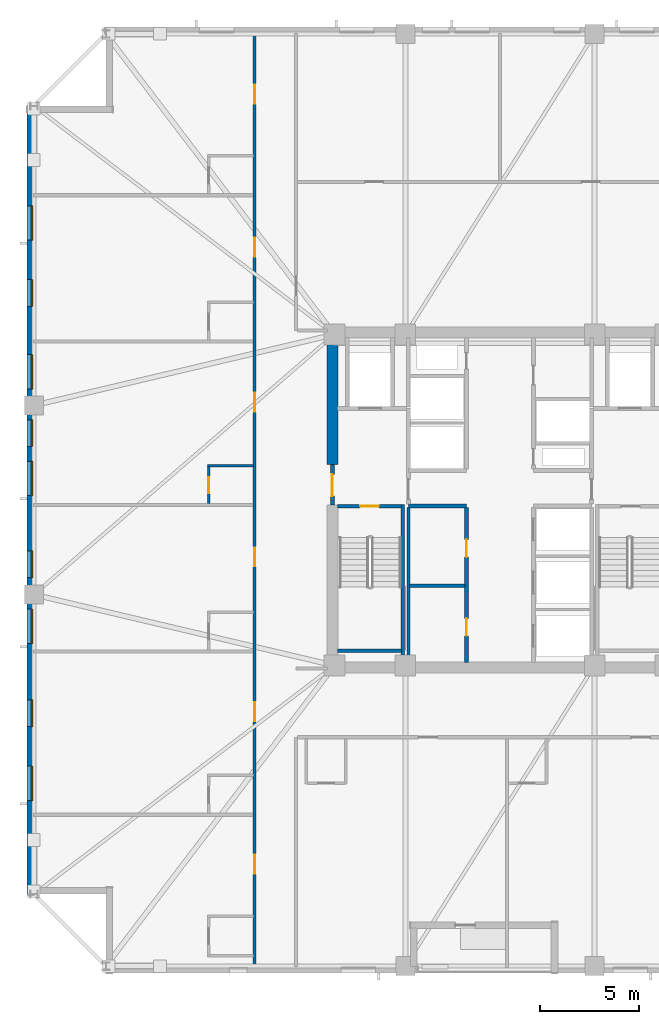
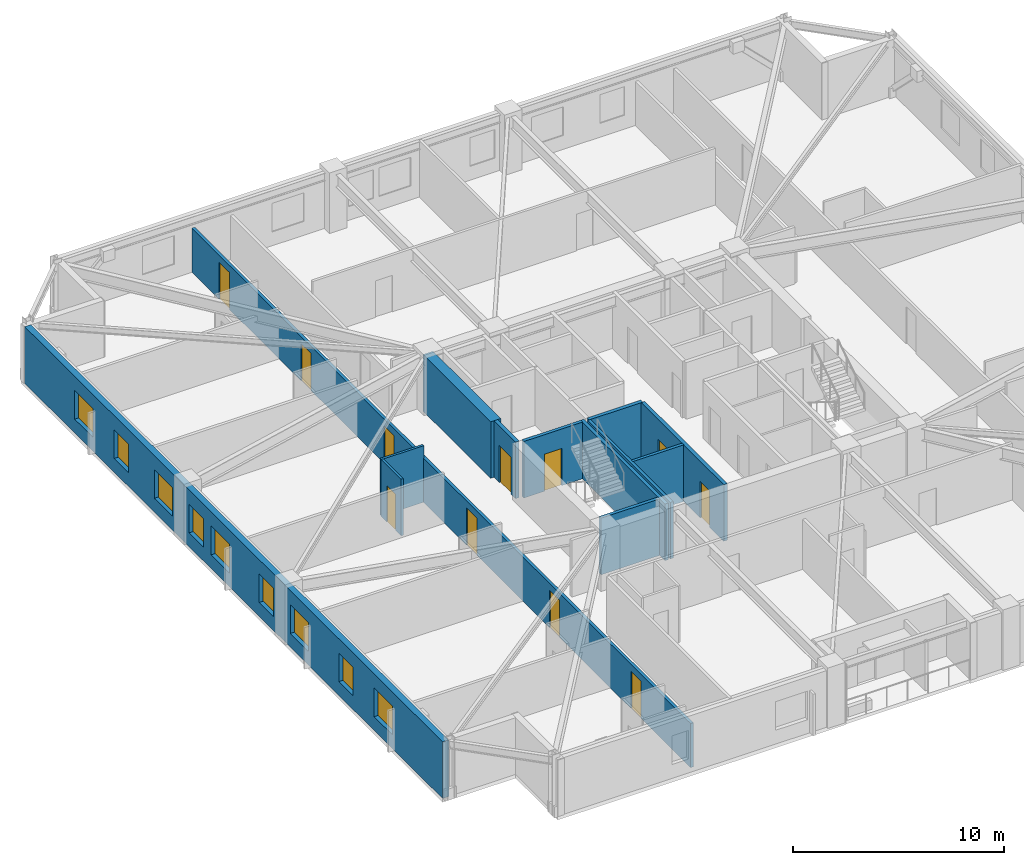
# One storey, part 3 of 11: 13 walls, 11 doors, 9 windows, 20 openings.
"""IFC4 building model written with IfcOpenShell, lengths in metres."""

from ifc_helpers import new_model, si_unit, direction, frame, frame_2d, origin, place, context, subcontext, project, spatial, rectangle, extrude, material, layer, layer_set, type_object, element, fill, save


model = new_model("IFC4")

# Units and contexts
model_context = context("Model", 3, precision=1e-05, world=origin(), true_north=direction((0.0, 1.0)))
body_context = subcontext(model_context, "Body", "Model", "MODEL_VIEW")
ifc_project = project(units=[si_unit("LENGTHUNIT", "METRE"), si_unit("AREAUNIT", "SQUARE_METRE"), si_unit("VOLUMEUNIT", "CUBIC_METRE"), si_unit("PLANEANGLEUNIT", "RADIAN"), si_unit("MASSUNIT", "GRAM", prefix="KILO")], contexts=[model_context])

# Site, building, storey
site_placement = place(None, origin())
site = spatial("IfcSite", under=ifc_project, at=site_placement, CompositionType="ELEMENT")
building_placement = place(site_placement, origin())
building = spatial("IfcBuilding", under=site, at=building_placement, Name="Cairnveth Concourse Tower", CompositionType="ELEMENT")
storey_placement = place(building_placement, frame((0.0, 0.0, 151.5)))
storey = spatial("IfcBuildingStorey", under=building, at=storey_placement, Name="L41", CompositionType="ELEMENT", Elevation=151.5)

# Walls
ifc_material_1 = material(Name="Gypsum Plasterboard Partition", Category="gypsum")
ifc_layer_1 = layer(ifc_material_1, 0.159912109375)
ifc_layer_set_1 = layer_set([ifc_layer_1], Name="Gypsum Plasterboard Partition")
wall_type_1 = type_object("IfcWallType", Name="ACOUSTIC PARTY WALL 180", PredefinedType="PARTITIONING", material=ifc_layer_set_1)
wall_1_placement = place(storey_placement, frame((47.35009765625, 30.760009765625, 0.0), z_axis=(0.0, 0.0, 1.0), x_axis=(0.0, 1.0, 0.0)))
element("IfcWall", 1, at=wall_1_placement, inside=storey, type_object=wall_type_1, Name="Interior Wall IW-L41-025", PredefinedType="PARTITIONING", context=body_context, shape_type="SweptSolid", body=[
    extrude(rectangle(XDim=7.85498046875, YDim=0.159912109375, at=frame_2d((3.927490234375, 0.0))), origin(), (0.0, 0.0, 1.0), 3.280029296875),
])
wall_2_placement = place(storey_placement, frame((47.4150390625, 34.64990234375, 0.0), z_axis=(0.0, 0.0, 1.0), x_axis=(1.0, 0.0, 0.0)))
element("IfcWall", 2, at=wall_2_placement, inside=storey, type_object=wall_type_1, Name="Interior Wall IW-L41-026", PredefinedType="PARTITIONING", context=body_context, shape_type="SweptSolid", body=[
    extrude(rectangle(XDim=2.800048828125, YDim=0.159912109375, at=frame_2d((1.39990234375, 0.0))), origin(), (0.0, 0.0, 1.0), 3.280029296875),
])

# Wall, openings, doors
wall_3_placement = place(storey_placement, frame((39.550048828125, 15.324951171875, 0.0), z_axis=(0.0, 0.0, 1.0), x_axis=(0.0, 1.0, 0.0)))
wall_3 = element("IfcWall", 3, at=wall_3_placement, inside=storey, type_object=wall_type_1, Name="Interior Wall IW-L41-036", PredefinedType="PARTITIONING", context=body_context, shape_type="SweptSolid", body=[
    extrude(rectangle(XDim=47.35009765625, YDim=0.159912109375, at=frame_2d((23.675048828125, 0.0))), origin(), (0.0, 0.0, 1.0), 2.554931640625),
])
opening_1_placement = place(wall_3_placement, frame((4.71826171875, 0.0, 0.0)))
opening_1 = element("IfcOpeningElement", 4, at=opening_1_placement, cuts=wall_3, Name="Opening ID09", PredefinedType="OPENING", context=body_context, shape_type="SweptSolid", body=[
    extrude(rectangle(XDim=0.9599609375, YDim=2.14990234375, at=frame_2d((0.47998046875, 1.074951171875))), frame((0.0, 0.08984375, 0.0), z_axis=(0.0, -1.0, 0.0), x_axis=(1.0, 0.0, 0.0)), (0.0, 0.0, 1.0), 0.179931640625),
])
opening_2_placement = place(wall_3_placement, frame((12.44091796875, 0.0, 0.0)))
opening_2 = element("IfcOpeningElement", 5, at=opening_2_placement, cuts=wall_3, Name="Opening ID09", PredefinedType="OPENING", context=body_context, shape_type="SweptSolid", body=[
    extrude(rectangle(XDim=0.9599609375, YDim=2.14990234375, at=frame_2d((0.47998046875, 1.074951171875))), frame((0.0, 0.08984375, 0.0), z_axis=(0.0, -1.0, 0.0), x_axis=(1.0, 0.0, 0.0)), (0.0, 0.0, 1.0), 0.179931640625),
])
opening_3_placement = place(wall_3_placement, frame((20.301025390625, 0.0, 0.0)))
opening_3 = element("IfcOpeningElement", 6, at=opening_3_placement, cuts=wall_3, Name="Opening ID09", PredefinedType="OPENING", context=body_context, shape_type="SweptSolid", body=[
    extrude(rectangle(XDim=0.9599609375, YDim=2.14990234375, at=frame_2d((0.47998046875, 1.074951171875))), frame((0.0, 0.08984375, 0.0), z_axis=(0.0, -1.0, 0.0), x_axis=(1.0, 0.0, 0.0)), (0.0, 0.0, 1.0), 0.179931640625),
])
opening_4_placement = place(wall_3_placement, frame((28.160888671875, 0.0, 0.0)))
opening_4 = element("IfcOpeningElement", 7, at=opening_4_placement, cuts=wall_3, Name="Opening ID09", PredefinedType="OPENING", context=body_context, shape_type="SweptSolid", body=[
    extrude(rectangle(XDim=0.9599609375, YDim=2.14990234375, at=frame_2d((0.47998046875, 1.074951171875))), frame((0.0, 0.08984375, 0.0), z_axis=(0.0, -1.0, 0.0), x_axis=(1.0, 0.0, 0.0)), (0.0, 0.0, 1.0), 0.179931640625),
])
opening_5_placement = place(wall_3_placement, frame((36.02099609375, 0.0, 0.0)))
opening_5 = element("IfcOpeningElement", 8, at=opening_5_placement, cuts=wall_3, Name="Opening ID09", PredefinedType="OPENING", context=body_context, shape_type="SweptSolid", body=[
    extrude(rectangle(XDim=0.9599609375, YDim=2.14990234375, at=frame_2d((0.47998046875, 1.074951171875))), frame((0.0, 0.08984375, 0.0), z_axis=(0.0, -1.0, 0.0), x_axis=(1.0, 0.0, 0.0)), (0.0, 0.0, 1.0), 0.179931640625),
])
opening_6_placement = place(wall_3_placement, frame((43.793212890625, 0.0, 0.0)))
opening_6 = element("IfcOpeningElement", 9, at=opening_6_placement, cuts=wall_3, Name="Opening ID09", PredefinedType="OPENING", context=body_context, shape_type="SweptSolid", body=[
    extrude(rectangle(XDim=0.9599609375, YDim=2.14990234375, at=frame_2d((0.47998046875, 1.074951171875))), frame((0.0, 0.08984375, 0.0), z_axis=(0.0, -1.0, 0.0), x_axis=(1.0, 0.0, 0.0)), (0.0, 0.0, 1.0), 0.179931640625),
])
ifc_material_2 = material(Name="Solid Core Hardwood Timber Leaf", Category="wood")
door_type_1 = type_object("IfcDoorType", Name="HOTEL ENTRANCE DOOR 960X2150", OperationType="NOTDEFINED", PredefinedType="DOOR", material=ifc_material_2)
door_1_placement = place(opening_1_placement, origin())
door_1 = element("IfcDoor", 10, at=door_1_placement, inside=storey, type_object=door_type_1, Name="Hotel Room Door L41-W1", OperationType="SINGLE_SWING_LEFT", OverallHeight=2.14990234375, OverallWidth=0.9599609375, PredefinedType="DOOR", context=body_context, shape_type="SweptSolid", body=[
    extrude(rectangle(XDim=0.9599609375, YDim=2.14990234375, at=frame_2d((0.47998046875, 1.074951171875))), frame((0.0, 0.02490234375, 0.0), z_axis=(0.0, -1.0, 0.0), x_axis=(1.0, 0.0, 0.0)), (0.0, 0.0, 1.0), 0.050048828125),
])
fill(opening_1, door_1)
door_2_placement = place(opening_2_placement, origin())
door_2 = element("IfcDoor", 11, at=door_2_placement, inside=storey, type_object=door_type_1, Name="Hotel Room Door L41-W2", OperationType="SINGLE_SWING_LEFT", OverallHeight=2.14990234375, OverallWidth=0.9599609375, PredefinedType="DOOR", context=body_context, shape_type="SweptSolid", body=[
    extrude(rectangle(XDim=0.9599609375, YDim=2.14990234375, at=frame_2d((0.47998046875, 1.074951171875))), frame((0.0, 0.02490234375, 0.0), z_axis=(0.0, -1.0, 0.0), x_axis=(1.0, 0.0, 0.0)), (0.0, 0.0, 1.0), 0.050048828125),
])
fill(opening_2, door_2)
door_3_placement = place(opening_3_placement, origin())
door_3 = element("IfcDoor", 12, at=door_3_placement, inside=storey, type_object=door_type_1, Name="Hotel Room Door L41-W3", OperationType="SINGLE_SWING_LEFT", OverallHeight=2.14990234375, OverallWidth=0.9599609375, PredefinedType="DOOR", context=body_context, shape_type="SweptSolid", body=[
    extrude(rectangle(XDim=0.9599609375, YDim=2.14990234375, at=frame_2d((0.47998046875, 1.074951171875))), frame((0.0, 0.02490234375, 0.0), z_axis=(0.0, -1.0, 0.0), x_axis=(1.0, 0.0, 0.0)), (0.0, 0.0, 1.0), 0.050048828125),
])
fill(opening_3, door_3)
door_4_placement = place(opening_4_placement, origin())
door_4 = element("IfcDoor", 13, at=door_4_placement, inside=storey, type_object=door_type_1, Name="Hotel Room Door L41-W4", OperationType="SINGLE_SWING_LEFT", OverallHeight=2.14990234375, OverallWidth=0.9599609375, PredefinedType="DOOR", context=body_context, shape_type="SweptSolid", body=[
    extrude(rectangle(XDim=0.9599609375, YDim=2.14990234375, at=frame_2d((0.47998046875, 1.074951171875))), frame((0.0, 0.02490234375, 0.0), z_axis=(0.0, -1.0, 0.0), x_axis=(1.0, 0.0, 0.0)), (0.0, 0.0, 1.0), 0.050048828125),
])
fill(opening_4, door_4)
door_5_placement = place(opening_5_placement, origin())
door_5 = element("IfcDoor", 14, at=door_5_placement, inside=storey, type_object=door_type_1, Name="Hotel Room Door L41-W5", OperationType="SINGLE_SWING_LEFT", OverallHeight=2.14990234375, OverallWidth=0.9599609375, PredefinedType="DOOR", context=body_context, shape_type="SweptSolid", body=[
    extrude(rectangle(XDim=0.9599609375, YDim=2.14990234375, at=frame_2d((0.47998046875, 1.074951171875))), frame((0.0, 0.02490234375, 0.0), z_axis=(0.0, -1.0, 0.0), x_axis=(1.0, 0.0, 0.0)), (0.0, 0.0, 1.0), 0.050048828125),
])
fill(opening_5, door_5)
door_6_placement = place(opening_6_placement, origin())
door_6 = element("IfcDoor", 15, at=door_6_placement, inside=storey, type_object=door_type_1, Name="Hotel Room Door L41-W6", OperationType="SINGLE_SWING_LEFT", OverallHeight=2.14990234375, OverallWidth=0.9599609375, PredefinedType="DOOR", context=body_context, shape_type="SweptSolid", body=[
    extrude(rectangle(XDim=0.9599609375, YDim=2.14990234375, at=frame_2d((0.47998046875, 1.074951171875))), frame((0.0, 0.02490234375, 0.0), z_axis=(0.0, -1.0, 0.0), x_axis=(1.0, 0.0, 0.0)), (0.0, 0.0, 1.0), 0.050048828125),
])
fill(opening_6, door_6)

# Wall
ifc_material_3 = material(Name="Concrete N80 (80 MPa)", Category="concrete")
ifc_layer_2 = layer(ifc_material_3, 0.550048828125)
ifc_layer_set_2 = layer_set([ifc_layer_2], Name="Concrete N80 (80 MPa)")
wall_type_2 = type_object("IfcWallType", Name="CORE SHEAR WALL 550", PredefinedType="SHEAR", material=ifc_layer_set_2)
wall_4_placement = place(storey_placement, frame((43.5, 40.800048828125, 0.0), z_axis=(0.0, 0.0, 1.0), x_axis=(0.0, 1.0, 0.0)))
element("IfcWall", 16, at=wall_4_placement, inside=storey, type_object=wall_type_2, Name="Core West Shear Wall N L41", PredefinedType="SHEAR", context=body_context, shape_type="SweptSolid", body=[
    extrude(rectangle(XDim=6.43505859375, YDim=0.550048828125, at=frame_2d((3.217529296875, 0.0))), origin(), (0.0, 0.0, 1.0), 3.280029296875),
])

# Wall, opening, door
ifc_material_4 = material(Name="Concrete N50 (50 MPa)", Category="concrete")
ifc_layer_3 = layer(ifc_material_4, 0.179931640625)
ifc_layer_set_3 = layer_set([ifc_layer_3], Name="Concrete N50 (50 MPa)")
wall_type_3 = type_object("IfcWallType", Name="FIRE SHAFT WALL 180", PredefinedType="SOLIDWALL", material=ifc_layer_set_3)
wall_5_placement = place(storey_placement, frame((43.764892578125, 38.68994140625, 0.0), z_axis=(0.0, 0.0, 1.0), x_axis=(1.0, 0.0, 0.0)))
wall_5 = element("IfcWall", 17, at=wall_5_placement, inside=storey, type_object=wall_type_3, Name="Stair ST-1 Shaft Wall NEAR L41", PredefinedType="SOLIDWALL", context=body_context, shape_type="SweptSolid", body=[
    extrude(rectangle(XDim=3.230224609375, YDim=0.179931640625, at=frame_2d((1.615234375, 0.0))), origin(), (0.0, 0.0, 1.0), 3.280029296875),
])
opening_7_placement = place(wall_5_placement, frame((1.139892578125, 0.0, 0.0)))
opening_7 = element("IfcOpeningElement", 18, at=opening_7_placement, cuts=wall_5, Name="Opening ID12", PredefinedType="OPENING", context=body_context, shape_type="SweptSolid", body=[
    extrude(rectangle(XDim=0.949951171875, YDim=2.14990234375, at=frame_2d((0.47509765625, 1.074951171875))), frame((0.0, 0.099853515625, 0.0), z_axis=(0.0, -1.0, 0.0), x_axis=(1.0, 0.0, 0.0)), (0.0, 0.0, 1.0), 0.199951171875),
])
ifc_material_5 = material(Name="Steel Grade 350", Category="steel")
door_type_2 = type_object("IfcDoorType", Name="FIRE STAIR DOOR 950X2150", OperationType="NOTDEFINED", PredefinedType="DOOR", material=ifc_material_5)
door_7_placement = place(opening_7_placement, origin())
door_7 = element("IfcDoor", 19, at=door_7_placement, inside=storey, type_object=door_type_2, Name="Stair ST-1 Fire Door L41", OperationType="SINGLE_SWING_LEFT", OverallHeight=2.14990234375, OverallWidth=0.949951171875, PredefinedType="DOOR", context=body_context, shape_type="SweptSolid", body=[
    extrude(rectangle(XDim=0.949951171875, YDim=2.14990234375, at=frame_2d((0.47509765625, 1.074951171875))), frame((0.0, 0.02490234375, 0.0), z_axis=(0.0, -1.0, 0.0), x_axis=(1.0, 0.0, 0.0)), (0.0, 0.0, 1.0), 0.050048828125),
])
fill(opening_7, door_7)

# Walls
wall_6_placement = place(storey_placement, frame((43.764892578125, 31.360107421875, 0.0), z_axis=(0.0, 0.0, 1.0), x_axis=(1.0, 0.0, 0.0)))
element("IfcWall", 20, at=wall_6_placement, inside=storey, type_object=wall_type_3, Name="Stair ST-1 Shaft Wall FAR L41", PredefinedType="SOLIDWALL", context=body_context, shape_type="SweptSolid", body=[
    extrude(rectangle(XDim=3.230224609375, YDim=0.179931640625, at=frame_2d((1.615234375, 0.0))), origin(), (0.0, 0.0, 1.0), 3.280029296875),
])
wall_7_placement = place(storey_placement, frame((47.070068359375, 38.780029296875, 0.0), z_axis=(0.0, 0.0, 1.0), x_axis=(0.0, -1.0, 0.0)))
element("IfcWall", 21, at=wall_7_placement, inside=storey, type_object=wall_type_3, Name="Stair ST-1 Shaft Wall RGHT L41", PredefinedType="SOLIDWALL", context=body_context, shape_type="SweptSolid", body=[
    extrude(rectangle(XDim=8.01708984375, YDim=0.179931640625, at=frame_2d((4.008544921875, 0.0))), origin(), (0.0, 0.0, 1.0), 3.280029296875),
])
ifc_layer_4 = layer(ifc_material_4, 0.199951171875)
ifc_layer_set_4 = layer_set([ifc_layer_4], Name="Concrete N50 (50 MPa)")
wall_type_4 = type_object("IfcWallType", Name="FIRE SHAFT WALL 200", PredefinedType="SOLIDWALL", material=ifc_layer_set_4)
wall_8_placement = place(storey_placement, frame((47.35009765625, 38.699951171875, 0.0), z_axis=(0.0, 0.0, 1.0), x_axis=(1.0, 0.0, 0.0)))
element("IfcWall", 22, at=wall_8_placement, inside=storey, type_object=wall_type_4, Name="Interior Wall IW-L41-007", PredefinedType="SOLIDWALL", context=body_context, shape_type="SweptSolid", body=[
    extrude(rectangle(XDim=2.949951171875, YDim=0.199951171875, at=frame_2d((1.47509765625, 0.0))), origin(), (0.0, 0.0, 1.0), 3.280029296875),
])

# Wall, openings, doors
wall_9_placement = place(storey_placement, frame((50.300048828125, 30.760009765625, 0.0), z_axis=(0.0, 0.0, 1.0), x_axis=(0.0, 1.0, 0.0)))
wall_9 = element("IfcWall", 23, at=wall_9_placement, inside=storey, type_object=wall_type_4, Name="Interior Wall IW-L41-011", PredefinedType="SOLIDWALL", context=body_context, shape_type="SweptSolid", body=[
    extrude(rectangle(XDim=7.85498046875, YDim=0.199951171875, at=frame_2d((3.927490234375, 0.0))), origin(), (0.0, 0.0, 1.0), 3.280029296875),
])
opening_8_placement = place(wall_9_placement, frame((1.340087890625, 0.0, 0.0)))
opening_8 = element("IfcOpeningElement", 24, at=opening_8_placement, cuts=wall_9, Name="Opening ID26", PredefinedType="OPENING", context=body_context, shape_type="SweptSolid", body=[
    extrude(rectangle(XDim=0.89990234375, YDim=2.1201171875, at=frame_2d((0.449951171875, 1.06005859375))), frame((0.0, 0.10986328125, 0.0), z_axis=(0.0, -1.0, 0.0), x_axis=(1.0, 0.0, 0.0)), (0.0, 0.0, 1.0), 0.219970703125),
])
opening_9_placement = place(wall_9_placement, frame((5.340087890625, 0.0, 0.0)))
opening_9 = element("IfcOpeningElement", 25, at=opening_9_placement, cuts=wall_9, Name="Opening ID26", PredefinedType="OPENING", context=body_context, shape_type="SweptSolid", body=[
    extrude(rectangle(XDim=0.89990234375, YDim=2.1201171875, at=frame_2d((0.449951171875, 1.06005859375))), frame((0.0, 0.10986328125, 0.0), z_axis=(0.0, -1.0, 0.0), x_axis=(1.0, 0.0, 0.0)), (0.0, 0.0, 1.0), 0.219970703125),
])
door_type_3 = type_object("IfcDoorType", Name="CORE TOILET FIRE DOOR 900X2120", OperationType="NOTDEFINED", PredefinedType="DOOR", material=ifc_material_5)
door_8_placement = place(opening_8_placement, origin())
door_8 = element("IfcDoor", 26, at=door_8_placement, inside=storey, type_object=door_type_3, Name="Male WC Door L41", OperationType="SINGLE_SWING_LEFT", OverallHeight=2.1201171875, OverallWidth=0.89990234375, PredefinedType="DOOR", context=body_context, shape_type="SweptSolid", body=[
    extrude(rectangle(XDim=0.89990234375, YDim=2.1201171875, at=frame_2d((0.449951171875, 1.06005859375))), frame((0.0, 0.02490234375, 0.0), z_axis=(0.0, -1.0, 0.0), x_axis=(1.0, 0.0, 0.0)), (0.0, 0.0, 1.0), 0.050048828125),
])
fill(opening_8, door_8)
door_9_placement = place(opening_9_placement, origin())
door_9 = element("IfcDoor", 27, at=door_9_placement, inside=storey, type_object=door_type_3, Name="Female WC Door L41", OperationType="SINGLE_SWING_RIGHT", OverallHeight=2.1201171875, OverallWidth=0.89990234375, PredefinedType="DOOR", context=body_context, shape_type="SweptSolid", body=[
    extrude(rectangle(XDim=0.89990234375, YDim=2.1201171875, at=frame_2d((0.449951171875, 1.06005859375))), frame((0.0, 0.02490234375, 0.0), z_axis=(0.0, -1.0, 0.0), x_axis=(1.0, 0.0, 0.0)), (0.0, 0.0, 1.0), 0.050048828125),
])
fill(opening_9, door_9)

# Wall, opening, door
wall_10_placement = place(storey_placement, frame((43.5, 38.75, 0.0), z_axis=(0.0, 0.0, 1.0), x_axis=(0.0, 1.0, 0.0)))
wall_10 = element("IfcWall", 28, at=wall_10_placement, inside=storey, type_object=wall_type_4, Name="Interior Wall IW-L41-015", PredefinedType="SOLIDWALL", context=body_context, shape_type="SweptSolid", body=[
    extrude(rectangle(XDim=2.050048828125, YDim=0.199951171875, at=frame_2d((1.02490234375, 0.0))), origin(), (0.0, 0.0, 1.0), 3.280029296875),
])
opening_10_placement = place(wall_10_placement, frame((0.449951171875, 0.0, 0.0)))
opening_10 = element("IfcOpeningElement", 29, at=opening_10_placement, cuts=wall_10, Name="Opening ID06", PredefinedType="OPENING", context=body_context, shape_type="SweptSolid", body=[
    extrude(rectangle(XDim=1.10009765625, YDim=2.14990234375, at=frame_2d((0.550048828125, 1.074951171875))), frame((0.0, 0.10986328125, 0.0), z_axis=(0.0, -1.0, 0.0), x_axis=(1.0, 0.0, 0.0)), (0.0, 0.0, 1.0), 0.219970703125),
])
door_type_4 = type_object("IfcDoorType", Name="FIRE CORRIDOR DOOR 1100X2150", OperationType="NOTDEFINED", PredefinedType="DOOR", material=ifc_material_5)
door_10_placement = place(opening_10_placement, origin())
door_10 = element("IfcDoor", 30, at=door_10_placement, inside=storey, type_object=door_type_4, Name="West Wing to FF Lobby Door L41", OperationType="SINGLE_SWING_LEFT", OverallHeight=2.14990234375, OverallWidth=1.10009765625, PredefinedType="DOOR", context=body_context, shape_type="SweptSolid", body=[
    extrude(rectangle(XDim=1.10009765625, YDim=2.14990234375, at=frame_2d((0.550048828125, 1.074951171875))), frame((0.0, 0.02490234375, 0.0), z_axis=(0.0, -1.0, 0.0), x_axis=(1.0, 0.0, 0.0)), (0.0, 0.0, 1.0), 0.050048828125),
])
fill(opening_10, door_10)

# Wall
ifc_layer_5 = layer(ifc_material_1, 0.1298828125)
ifc_layer_set_5 = layer_set([ifc_layer_5], Name="Gypsum Plasterboard Partition")
wall_type_5 = type_object("IfcWallType", Name="WET AREA PARTITION 140", PredefinedType="PLUMBINGWALL", material=ifc_layer_set_5)
wall_11_placement = place(storey_placement, frame((37.169921875, 40.74658203125, 0.0), z_axis=(0.0, 0.0, 1.0), x_axis=(1.0, 0.0, 0.0)))
element("IfcWall", 31, at=wall_11_placement, inside=storey, type_object=wall_type_5, Name="Interior Wall IW-L41-065", PredefinedType="PLUMBINGWALL", context=body_context, shape_type="SweptSolid", body=[
    extrude(rectangle(XDim=2.315185546875, YDim=0.1298828125, at=frame_2d((1.15771484375, 0.0))), origin(), (0.0, 0.0, 1.0), 3.280029296875),
])

# Wall, opening, door
wall_12_placement = place(storey_placement, frame((37.219970703125, 38.8115234375, 0.0), z_axis=(0.0, 0.0, 1.0), x_axis=(0.0, 1.0, 0.0)))
wall_12 = element("IfcWall", 32, at=wall_12_placement, inside=storey, type_object=wall_type_5, Name="Interior Wall IW-L41-066", PredefinedType="PLUMBINGWALL", context=body_context, shape_type="SweptSolid", body=[
    extrude(rectangle(XDim=1.885009765625, YDim=0.1298828125, at=frame_2d((0.9423828125, 0.0))), origin(), (0.0, 0.0, 1.0), 3.280029296875),
])
opening_11_placement = place(wall_12_placement, frame((0.52490234375, 0.0, 0.0)))
opening_11 = element("IfcOpeningElement", 33, at=opening_11_placement, cuts=wall_12, Name="Opening ID22", PredefinedType="OPENING", context=body_context, shape_type="SweptSolid", body=[
    extrude(rectangle(XDim=0.820068359375, YDim=2.10009765625, at=frame_2d((0.41015625, 1.050048828125))), frame((0.0, 0.074951171875, 0.0), z_axis=(0.0, -1.0, 0.0), x_axis=(1.0, 0.0, 0.0)), (0.0, 0.0, 1.0), 0.14990234375),
])
door_type_5 = type_object("IfcDoorType", Name="INTERIOR WC DOOR 820X2100", OperationType="NOTDEFINED", PredefinedType="DOOR", material=ifc_material_2)
door_11_placement = place(opening_11_placement, origin())
door_11 = element("IfcDoor", 34, at=door_11_placement, inside=storey, type_object=door_type_5, Name="En-Suite Door L41-W4", OperationType="SINGLE_SWING_RIGHT", OverallHeight=2.10009765625, OverallWidth=0.820068359375, PredefinedType="DOOR", context=body_context, shape_type="SweptSolid", body=[
    extrude(rectangle(XDim=0.820068359375, YDim=2.10009765625, at=frame_2d((0.41015625, 1.050048828125))), frame((0.0, 0.02490234375, 0.0), z_axis=(0.0, -1.0, 0.0), x_axis=(1.0, 0.0, 0.0)), (0.0, 0.0, 1.0), 0.050048828125),
])
fill(opening_11, door_11)

# Wall, openings, windows
ifc_material_6 = material(Name="Hawthorn Red-Ochre Fired Clay Brick Masonry", Category="masonry")
ifc_layer_6 = layer(ifc_material_6, 0.340087890625)
ifc_layer_set_6 = layer_set([ifc_layer_6], Name="Hawthorn Red-Ochre Fired Clay Brick Masonry")
wall_type_6 = type_object("IfcWallType", Name="ZONE 2 BRICK PIER SPANDREL WALL 340", PredefinedType="SOLIDWALL", material=ifc_layer_set_6)
wall_13_placement = place(storey_placement, frame((28.169921875, 19.0, 0.0), z_axis=(0.0, 0.0, 1.0), x_axis=(0.0, 1.0, 0.0)))
wall_13 = element("IfcWall", 35, at=wall_13_placement, inside=storey, type_object=wall_type_6, Name="Exterior Wall EW-L41-S03", PredefinedType="SOLIDWALL", context=body_context, shape_type="SweptSolid", body=[
    extrude(rectangle(XDim=39.681884765625, YDim=0.340087890625, at=frame_2d((19.8408203125, 0.0))), origin(), (0.0, 0.0, 1.0), 3.280029296875),
])
opening_12_placement = place(wall_13_placement, frame((4.751708984375, 0.0, 0.800048828125)))
opening_12 = element("IfcOpeningElement", 36, at=opening_12_placement, cuts=wall_13, Name="Opening W06", PredefinedType="OPENING", context=body_context, shape_type="SweptSolid", body=[
    extrude(rectangle(XDim=1.75, YDim=1.659912109375, at=frame_2d((0.875, 0.830078125))), frame((0.0, 0.179931640625, 0.0), z_axis=(0.0, -1.0, 0.0), x_axis=(1.0, 0.0, 0.0)), (0.0, 0.0, 1.0), 0.360107421875),
])
opening_13_placement = place(wall_13_placement, frame((8.50537109375, 0.0, 0.800048828125)))
opening_13 = element("IfcOpeningElement", 37, at=opening_13_placement, cuts=wall_13, Name="Opening W02", PredefinedType="OPENING", context=body_context, shape_type="SweptSolid", body=[
    extrude(rectangle(XDim=1.35009765625, YDim=1.659912109375, at=frame_2d((0.675048828125, 0.830078125))), frame((0.0, 0.179931640625, 0.0), z_axis=(0.0, -1.0, 0.0), x_axis=(1.0, 0.0, 0.0)), (0.0, 0.0, 1.0), 0.360107421875),
])
opening_14_placement = place(wall_13_placement, frame((12.708984375, 0.0, 0.800048828125)))
opening_14 = element("IfcOpeningElement", 38, at=opening_14_placement, cuts=wall_13, Name="Opening W06", PredefinedType="OPENING", context=body_context, shape_type="SweptSolid", body=[
    extrude(rectangle(XDim=1.75, YDim=1.659912109375, at=frame_2d((0.875, 0.830078125))), frame((0.0, 0.179931640625, 0.0), z_axis=(0.0, -1.0, 0.0), x_axis=(1.0, 0.0, 0.0)), (0.0, 0.0, 1.0), 0.360107421875),
])
opening_15_placement = place(wall_13_placement, frame((16.0625, 0.0, 0.800048828125)))
opening_15 = element("IfcOpeningElement", 39, at=opening_15_placement, cuts=wall_13, Name="Opening W02", PredefinedType="OPENING", context=body_context, shape_type="SweptSolid", body=[
    extrude(rectangle(XDim=1.35009765625, YDim=1.659912109375, at=frame_2d((0.675048828125, 0.830078125))), frame((0.0, 0.179931640625, 0.0), z_axis=(0.0, -1.0, 0.0), x_axis=(1.0, 0.0, 0.0)), (0.0, 0.0, 1.0), 0.360107421875),
])
opening_16_placement = place(wall_13_placement, frame((20.216064453125, 0.0, 0.800048828125)))
opening_16 = element("IfcOpeningElement", 40, at=opening_16_placement, cuts=wall_13, Name="Opening W06", PredefinedType="OPENING", context=body_context, shape_type="SweptSolid", body=[
    extrude(rectangle(XDim=1.75, YDim=1.659912109375, at=frame_2d((0.875, 0.830078125))), frame((0.0, 0.179931640625, 0.0), z_axis=(0.0, -1.0, 0.0), x_axis=(1.0, 0.0, 0.0)), (0.0, 0.0, 1.0), 0.360107421875),
])
opening_17_placement = place(wall_13_placement, frame((22.719482421875, 0.0, 0.800048828125)))
opening_17 = element("IfcOpeningElement", 41, at=opening_17_placement, cuts=wall_13, Name="Opening W02", PredefinedType="OPENING", context=body_context, shape_type="SweptSolid", body=[
    extrude(rectangle(XDim=1.35009765625, YDim=1.659912109375, at=frame_2d((0.675048828125, 0.830078125))), frame((0.0, 0.179931640625, 0.0), z_axis=(0.0, -1.0, 0.0), x_axis=(1.0, 0.0, 0.0)), (0.0, 0.0, 1.0), 0.360107421875),
])
opening_18_placement = place(wall_13_placement, frame((25.623046875, 0.0, 0.800048828125)))
opening_18 = element("IfcOpeningElement", 42, at=opening_18_placement, cuts=wall_13, Name="Opening W06", PredefinedType="OPENING", context=body_context, shape_type="SweptSolid", body=[
    extrude(rectangle(XDim=1.75, YDim=1.659912109375, at=frame_2d((0.875, 0.830078125))), frame((0.0, 0.179931640625, 0.0), z_axis=(0.0, -1.0, 0.0), x_axis=(1.0, 0.0, 0.0)), (0.0, 0.0, 1.0), 0.360107421875),
])
opening_19_placement = place(wall_13_placement, frame((29.82666015625, 0.0, 0.800048828125)))
opening_19 = element("IfcOpeningElement", 43, at=opening_19_placement, cuts=wall_13, Name="Opening W02", PredefinedType="OPENING", context=body_context, shape_type="SweptSolid", body=[
    extrude(rectangle(XDim=1.35009765625, YDim=1.659912109375, at=frame_2d((0.675048828125, 0.830078125))), frame((0.0, 0.179931640625, 0.0), z_axis=(0.0, -1.0, 0.0), x_axis=(1.0, 0.0, 0.0)), (0.0, 0.0, 1.0), 0.360107421875),
])
opening_20_placement = place(wall_13_placement, frame((33.18017578125, 0.0, 0.800048828125)))
opening_20 = element("IfcOpeningElement", 44, at=opening_20_placement, cuts=wall_13, Name="Opening W06", PredefinedType="OPENING", context=body_context, shape_type="SweptSolid", body=[
    extrude(rectangle(XDim=1.75, YDim=1.659912109375, at=frame_2d((0.875, 0.830078125))), frame((0.0, 0.179931640625, 0.0), z_axis=(0.0, -1.0, 0.0), x_axis=(1.0, 0.0, 0.0)), (0.0, 0.0, 1.0), 0.360107421875),
])
ifc_material_7 = material(Name="Double Glazed Low-E Clear Glass", Category="glass")
window_type_1 = type_object("IfcWindowType", Name="DEEP-SET GOTHIC LANCET WINDOW 1350X1800", PartitioningType="DOUBLE_PANEL_VERTICAL", PredefinedType="WINDOW", material=ifc_material_7)
window_1_placement = place(opening_13_placement, origin())
window_1 = element("IfcWindow", 45, at=window_1_placement, inside=storey, type_object=window_type_1, Name="Gothic Lancet Window L41-3-2", OverallHeight=1.659912109375, OverallWidth=1.35009765625, PartitioningType="SINGLE_PANEL", PredefinedType="WINDOW", context=body_context, shape_type="SweptSolid", body=[
    extrude(rectangle(XDim=1.35009765625, YDim=1.659912109375, at=frame_2d((0.675048828125, 0.830078125))), frame((0.0, -0.050048828125, 0.0), z_axis=(0.0, -1.0, 0.0), x_axis=(1.0, 0.0, 0.0)), (0.0, 0.0, 1.0), 0.06005859375),
])
fill(opening_13, window_1)
window_2_placement = place(opening_15_placement, origin())
window_2 = element("IfcWindow", 46, at=window_2_placement, inside=storey, type_object=window_type_1, Name="Gothic Lancet Window L41-3-4", OverallHeight=1.659912109375, OverallWidth=1.35009765625, PartitioningType="SINGLE_PANEL", PredefinedType="WINDOW", context=body_context, shape_type="SweptSolid", body=[
    extrude(rectangle(XDim=1.35009765625, YDim=1.659912109375, at=frame_2d((0.675048828125, 0.830078125))), frame((0.0, -0.050048828125, 0.0), z_axis=(0.0, -1.0, 0.0), x_axis=(1.0, 0.0, 0.0)), (0.0, 0.0, 1.0), 0.06005859375),
])
fill(opening_15, window_2)
window_3_placement = place(opening_17_placement, origin())
window_3 = element("IfcWindow", 47, at=window_3_placement, inside=storey, type_object=window_type_1, Name="Gothic Lancet Window L41-3-6", OverallHeight=1.659912109375, OverallWidth=1.35009765625, PartitioningType="SINGLE_PANEL", PredefinedType="WINDOW", context=body_context, shape_type="SweptSolid", body=[
    extrude(rectangle(XDim=1.35009765625, YDim=1.659912109375, at=frame_2d((0.675048828125, 0.830078125))), frame((0.0, -0.050048828125, 0.0), z_axis=(0.0, -1.0, 0.0), x_axis=(1.0, 0.0, 0.0)), (0.0, 0.0, 1.0), 0.06005859375),
])
fill(opening_17, window_3)
window_4_placement = place(opening_19_placement, origin())
window_4 = element("IfcWindow", 48, at=window_4_placement, inside=storey, type_object=window_type_1, Name="Gothic Lancet Window L41-3-8", OverallHeight=1.659912109375, OverallWidth=1.35009765625, PartitioningType="SINGLE_PANEL", PredefinedType="WINDOW", context=body_context, shape_type="SweptSolid", body=[
    extrude(rectangle(XDim=1.35009765625, YDim=1.659912109375, at=frame_2d((0.675048828125, 0.830078125))), frame((0.0, -0.050048828125, 0.0), z_axis=(0.0, -1.0, 0.0), x_axis=(1.0, 0.0, 0.0)), (0.0, 0.0, 1.0), 0.06005859375),
])
fill(opening_19, window_4)
window_type_2 = type_object("IfcWindowType", Name="DEEP-SET HOTEL SUITE WINDOW 1750X1800", PartitioningType="DOUBLE_PANEL_VERTICAL", PredefinedType="WINDOW", material=ifc_material_7)
window_5_placement = place(opening_12_placement, origin())
window_5 = element("IfcWindow", 49, at=window_5_placement, inside=storey, type_object=window_type_2, Name="Gothic Lancet Window L41-3-1", OverallHeight=1.659912109375, OverallWidth=1.75, PartitioningType="SINGLE_PANEL", PredefinedType="WINDOW", context=body_context, shape_type="SweptSolid", body=[
    extrude(rectangle(XDim=1.75, YDim=1.659912109375, at=frame_2d((0.875, 0.830078125))), frame((0.0, -0.050048828125, 0.0), z_axis=(0.0, -1.0, 0.0), x_axis=(1.0, 0.0, 0.0)), (0.0, 0.0, 1.0), 0.06005859375),
])
fill(opening_12, window_5)
window_6_placement = place(opening_14_placement, origin())
window_6 = element("IfcWindow", 50, at=window_6_placement, inside=storey, type_object=window_type_2, Name="Gothic Lancet Window L41-3-3", OverallHeight=1.659912109375, OverallWidth=1.75, PartitioningType="SINGLE_PANEL", PredefinedType="WINDOW", context=body_context, shape_type="SweptSolid", body=[
    extrude(rectangle(XDim=1.75, YDim=1.659912109375, at=frame_2d((0.875, 0.830078125))), frame((0.0, -0.050048828125, 0.0), z_axis=(0.0, -1.0, 0.0), x_axis=(1.0, 0.0, 0.0)), (0.0, 0.0, 1.0), 0.06005859375),
])
fill(opening_14, window_6)
window_7_placement = place(opening_16_placement, origin())
window_7 = element("IfcWindow", 51, at=window_7_placement, inside=storey, type_object=window_type_2, Name="Gothic Lancet Window L41-3-5", OverallHeight=1.659912109375, OverallWidth=1.75, PartitioningType="SINGLE_PANEL", PredefinedType="WINDOW", context=body_context, shape_type="SweptSolid", body=[
    extrude(rectangle(XDim=1.75, YDim=1.659912109375, at=frame_2d((0.875, 0.830078125))), frame((0.0, -0.050048828125, 0.0), z_axis=(0.0, -1.0, 0.0), x_axis=(1.0, 0.0, 0.0)), (0.0, 0.0, 1.0), 0.06005859375),
])
fill(opening_16, window_7)
window_8_placement = place(opening_18_placement, origin())
window_8 = element("IfcWindow", 52, at=window_8_placement, inside=storey, type_object=window_type_2, Name="Gothic Lancet Window L41-3-7", OverallHeight=1.659912109375, OverallWidth=1.75, PartitioningType="SINGLE_PANEL", PredefinedType="WINDOW", context=body_context, shape_type="SweptSolid", body=[
    extrude(rectangle(XDim=1.75, YDim=1.659912109375, at=frame_2d((0.875, 0.830078125))), frame((0.0, -0.050048828125, 0.0), z_axis=(0.0, -1.0, 0.0), x_axis=(1.0, 0.0, 0.0)), (0.0, 0.0, 1.0), 0.06005859375),
])
fill(opening_18, window_8)
window_9_placement = place(opening_20_placement, origin())
window_9 = element("IfcWindow", 53, at=window_9_placement, inside=storey, type_object=window_type_2, Name="Gothic Lancet Window L41-3-9", OverallHeight=1.659912109375, OverallWidth=1.75, PartitioningType="SINGLE_PANEL", PredefinedType="WINDOW", context=body_context, shape_type="SweptSolid", body=[
    extrude(rectangle(XDim=1.75, YDim=1.659912109375, at=frame_2d((0.875, 0.830078125))), frame((0.0, -0.050048828125, 0.0), z_axis=(0.0, -1.0, 0.0), x_axis=(1.0, 0.0, 0.0)), (0.0, 0.0, 1.0), 0.06005859375),
])
fill(opening_20, window_9)

save(model, "model.ifc")
